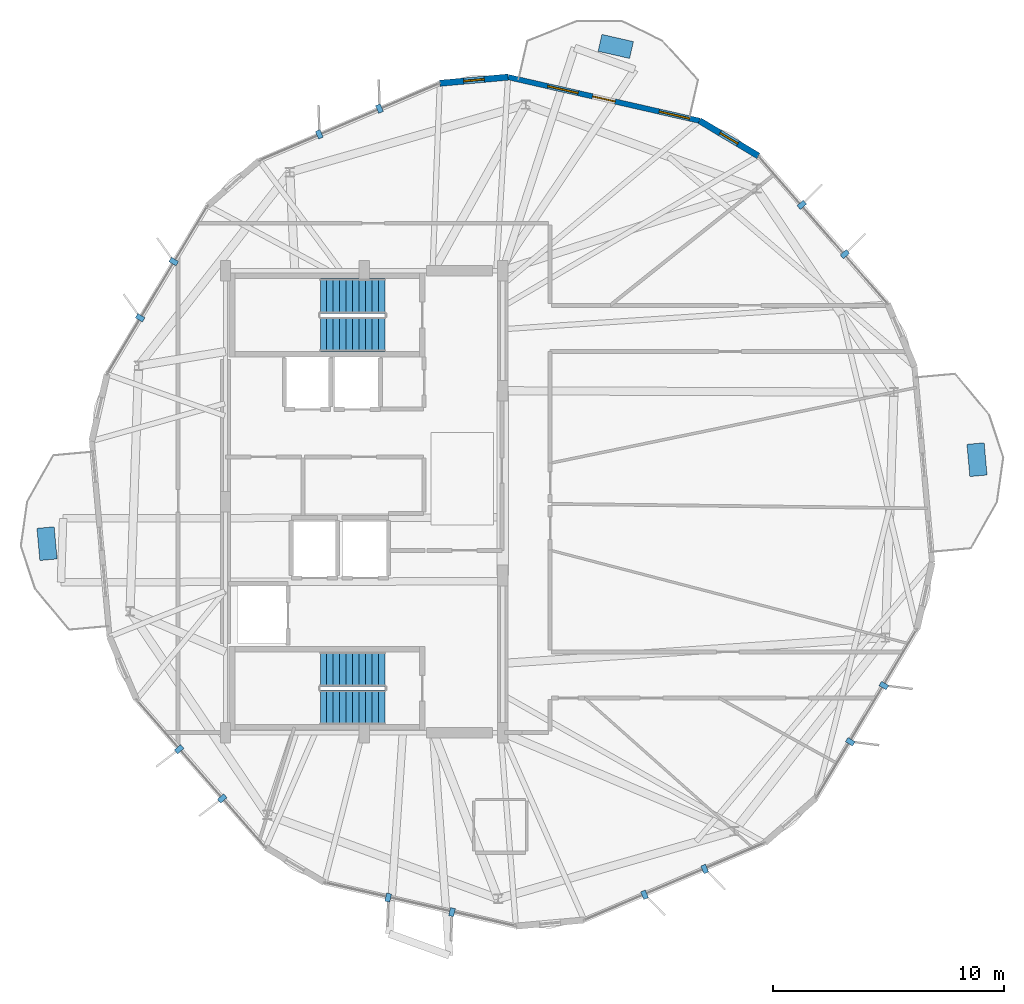
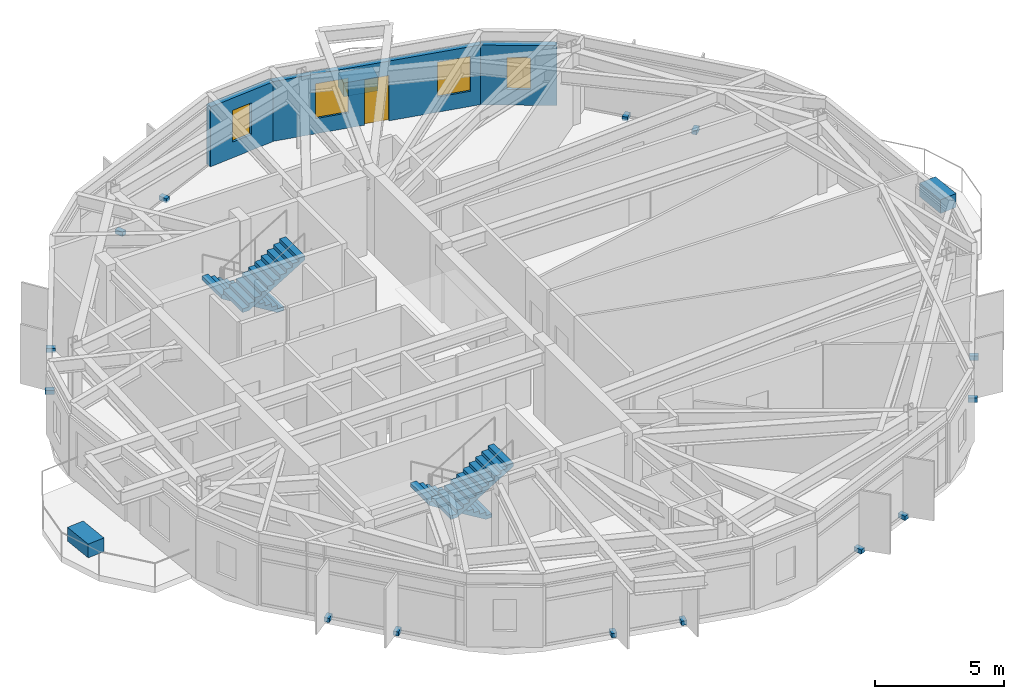
# One storey, part 20 of 23: 17 discrete accessories, 4 stair flights, 4 windows, 3 walls, 1 door, 5 openings, 2 elements without a shape of their own.
"""IFC4 building model written with IfcOpenShell, lengths in metres."""

import ifcopenshell
import ifcopenshell.guid

model = None  # the IFC model being written
_history = None  # IfcOwnerHistory: only IFC2X3 demands one
_inside = {}  # id of a spatial element -> (the spatial element, [elements in it])
_under = {}  # id of a project, library or spatial element -> (it, [spatial elements below it])
_declared = {}  # id of a project -> (the project, [libraries it declares])
_typed = {}  # id of a type object -> (the type object, [elements of that type])
_made_of = {}  # id of a material, layer set ... -> (it, [elements and type objects made of it])


def new_model(schema):
    """Start an empty IFC model of exactly this schema.

    Asked for "IFC4X3", IfcOpenShell would pick the latest addendum, in which some entities
    have other attributes; the version numbers below select the first issue.
    IFC2X3 requires an IfcOwnerHistory on every rooted entity: one is made here for all.
    """
    global model, _history
    if schema == "IFC4X3":
        model = ifcopenshell.file(schema_version=(4, 3, 0, 0))
    else:
        model = ifcopenshell.file(schema=schema)
    _inside.clear()
    _under.clear()
    _declared.clear()
    _typed.clear()
    _made_of.clear()
    _history = None
    if model.schema == "IFC2X3":
        org = make("IfcOrganization", Name="unknown")
        user = make(
            "IfcPersonAndOrganization",
            ThePerson=make("IfcPerson", FamilyName="unknown"),
            TheOrganization=org,
        )
        app = make(
            "IfcApplication",
            ApplicationDeveloper=org,
            Version="unknown",
            ApplicationFullName="unknown",
            ApplicationIdentifier="unknown",
        )
        _history = make(
            "IfcOwnerHistory",
            OwningUser=user,
            OwningApplication=app,
            ChangeAction="ADDED",
            CreationDate=0,
        )
    return model


def make(cls, **values):
    """One entity of the class cls with the attributes given. An attribute that is None is left unset."""
    return model.create_entity(
        cls, **{name: value for name, value in values.items() if value is not None}
    )


def rooted(cls, **values):
    """An entity with a GlobalId (a new one), such as an element, a storey or a relation."""
    return make(cls, GlobalId=ifcopenshell.guid.new(), OwnerHistory=_history, **values)


def si_unit(unit_type, name, prefix=None):
    """IfcSIUnit, for example si_unit("LENGTHUNIT", "METRE", prefix="MILLI")."""
    return make("IfcSIUnit", UnitType=unit_type, Prefix=prefix, Name=name)


def assignment(units):
    """IfcUnitAssignment: the units of a project."""
    return None if units is None else make("IfcUnitAssignment", Units=units)


def point(xyz):
    """IfcCartesianPoint."""
    return None if xyz is None else make("IfcCartesianPoint", Coordinates=xyz)


def direction(xyz):
    """IfcDirection."""
    return None if xyz is None else make("IfcDirection", DirectionRatios=xyz)


def frame(location, z_axis=None, x_axis=None):
    """IfcAxis2Placement3D, a coordinate frame: its origin and axes. An axis left out is left unset."""
    return make(
        "IfcAxis2Placement3D",
        Location=point(location),
        Axis=direction(z_axis),
        RefDirection=direction(x_axis),
    )


def frame_2d(location, x_axis=None):
    """IfcAxis2Placement2D, a coordinate frame in the plane: its origin and x axis."""
    return make(
        "IfcAxis2Placement2D", Location=point(location), RefDirection=direction(x_axis)
    )


def origin():
    """The frame at (0, 0, 0) with its axes left unset."""
    return frame((0.0, 0.0, 0.0))


def origin_2d():
    """The frame at (0, 0) in the plane with its x axis left unset."""
    return frame_2d((0.0, 0.0))


def place(relative_to, where):
    """IfcLocalPlacement: puts the frame where relative to a parent placement (None: the world)."""
    return make(
        "IfcLocalPlacement", PlacementRelTo=relative_to, RelativePlacement=where
    )


def context(
    kind, dimensions, precision=None, world=None, true_north=None, identifier=None
):
    """IfcGeometricRepresentationContext, for example the 3D "Model" context."""
    return make(
        "IfcGeometricRepresentationContext",
        ContextIdentifier=identifier,
        ContextType=kind,
        CoordinateSpaceDimension=dimensions,
        Precision=precision,
        WorldCoordinateSystem=world,
        TrueNorth=true_north,
    )


def subcontext(parent, identifier, kind, view, scale=None):
    """IfcGeometricRepresentationSubContext, for example "Body" below "Model"."""
    return make(
        "IfcGeometricRepresentationSubContext",
        ContextIdentifier=identifier,
        ContextType=kind,
        ParentContext=parent,
        TargetScale=scale,
        TargetView=view,
    )


def project(units=None, contexts=None):
    """IfcProject with its units and contexts."""
    return rooted(
        "IfcProject",
        Name="project",
        RepresentationContexts=contexts,
        UnitsInContext=assignment(units),
    )


def spatial(cls, under=None, at=None, **own):
    """A site, building, storey or space (cls), placed at a placement, below another one or the project."""
    s = rooted(cls, ObjectPlacement=at, **own)
    if under is not None:
        _under.setdefault(under.id(), (under, []))[1].append(s)
    return s


def polyline(points):
    """IfcPolyline through the points."""
    return make("IfcPolyline", Points=[point(p) for p in points])


def profile(cls, at=None, kind="AREA", **sizes):
    """A parametric profile (cls). Its sizes go by their IFC names, for example OverallWidth=200.0."""
    return make(cls, ProfileType=kind, Position=at, **sizes)


def rectangle(**sizes):
    """IfcRectangleProfileDef."""
    return profile("IfcRectangleProfileDef", **sizes)


def outline(outer, holes=None, kind="AREA"):
    """IfcArbitraryClosedProfileDef: a profile drawn as a closed curve; with holes, ...WithVoids."""
    if holes is None:
        return make("IfcArbitraryClosedProfileDef", ProfileType=kind, OuterCurve=outer)
    return make(
        "IfcArbitraryProfileDefWithVoids",
        ProfileType=kind,
        OuterCurve=outer,
        InnerCurves=holes,
    )


def extrude(swept, where, along, depth):
    """IfcExtrudedAreaSolid: the profile swept, set in the frame where, extruded along a direction by depth."""
    return make(
        "IfcExtrudedAreaSolid",
        SweptArea=swept,
        Position=where,
        ExtrudedDirection=direction(along),
        Depth=depth,
    )


def shape(context_of_items, identifier, shape_type, items):
    """IfcShapeRepresentation: the items that make up one representation, for example the "Body"."""
    return make(
        "IfcShapeRepresentation",
        ContextOfItems=context_of_items,
        RepresentationIdentifier=identifier,
        RepresentationType=shape_type,
        Items=items,
    )


def material(Name=None, Category=None):
    """IfcMaterial."""
    return make("IfcMaterial", Name=Name, Category=Category)


def layer(
    of_material, thickness, ventilated=None, Name=None, Category=None, Priority=None
):
    """IfcMaterialLayer: one layer of a wall or slab, of a material (None: an air gap)."""
    return make(
        "IfcMaterialLayer",
        Material=of_material,
        LayerThickness=thickness,
        IsVentilated=ventilated,
        Name=Name,
        Category=Category,
        Priority=Priority,
    )


def layer_set(layers, Name=None):
    """IfcMaterialLayerSet."""
    return make("IfcMaterialLayerSet", MaterialLayers=layers, LayerSetName=Name)


def made_of(thing, what):
    """Note that an element or type object is made of a material, layer set ...; save() writes the relation."""
    if what is not None:
        _made_of.setdefault(what.id(), (what, []))[1].append(thing)
    return thing


def type_object(cls, material=None, **own):
    """A type object (cls), such as IfcWallType, which elements share."""
    return made_of(rooted(cls, **own), material)


def element(
    cls,
    number,
    at=None,
    inside=None,
    cuts=None,
    type_object=None,
    material=None,
    context=None,
    identifier="Body",
    shape_type=None,
    held_by="IfcProductDefinitionShape",
    body=None,
    shapes=None,
    **own,
):
    """One element of the class cls, such as IfcWall. Its Tag is "e" and its number.

    at: its placement. inside: the storey or other place that contains it. cuts: it is an
    opening in that element (IfcRelVoidsElement). A single representation is given by context,
    identifier, shape_type and body (its items); several are given by shapes. held_by: the class
    of the entity that holds the representations. save() writes the other relations.
    """
    e = rooted(cls, Tag="e%d" % number, ObjectPlacement=at, **own)
    if body is not None:
        shapes = [shape(context, identifier, shape_type, body)]
    if shapes is not None:
        e.Representation = make(held_by, Representations=shapes)
    if inside is not None:
        _inside.setdefault(inside.id(), (inside, []))[1].append(e)
    if cuts is not None:
        rooted(
            "IfcRelVoidsElement", RelatingBuildingElement=cuts, RelatedOpeningElement=e
        )
    if type_object is not None:
        _typed.setdefault(type_object.id(), (type_object, []))[1].append(e)
    return made_of(e, material)


def fill(opening, filler):
    """IfcRelFillsElement: the door or window that sits in an opening."""
    return rooted(
        "IfcRelFillsElement",
        RelatingOpeningElement=opening,
        RelatedBuildingElement=filler,
    )


def aggregate(whole, parts):
    """IfcRelAggregates: a whole, such as a stair, and the parts it consists of."""
    return rooted("IfcRelAggregates", RelatingObject=whole, RelatedObjects=parts)


def save(model, path):
    """Write the relations noted so far, then the file.

    IfcRelAggregates (storeys below a building ...), IfcRelContainedInSpatialStructure (elements
    in a storey), IfcRelDefinesByType, IfcRelAssociatesMaterial and IfcRelDeclares: one each for
    every whole, place, type object, material and project.
    """
    for whole, parts in _under.values():
        aggregate(whole, parts)
    for where, things in _inside.values():
        rooted(
            "IfcRelContainedInSpatialStructure",
            RelatedElements=things,
            RelatingStructure=where,
        )
    for kind, things in _typed.values():
        rooted("IfcRelDefinesByType", RelatedObjects=things, RelatingType=kind)
    for what, things in _made_of.values():
        rooted("IfcRelAssociatesMaterial", RelatedObjects=things, RelatingMaterial=what)
    for by, libraries in _declared.values():
        rooted("IfcRelDeclares", RelatingContext=by, RelatedDefinitions=libraries)
    model.write(path)


model = new_model("IFC4")

# Units and contexts
model_context = context("Model", 3, precision=1e-05, world=origin(), true_north=direction((0.0, 1.0)))
body_context = subcontext(model_context, "Body", "Model", "MODEL_VIEW")
ifc_project = project(units=[si_unit("LENGTHUNIT", "METRE"), si_unit("AREAUNIT", "SQUARE_METRE"), si_unit("VOLUMEUNIT", "CUBIC_METRE"), si_unit("PLANEANGLEUNIT", "RADIAN"), si_unit("MASSUNIT", "GRAM", prefix="KILO")], contexts=[model_context])

# Site, building, storey
site_placement = place(None, origin())
site = spatial("IfcSite", under=ifc_project, at=site_placement, CompositionType="ELEMENT")
building_placement = place(site_placement, origin())
building = spatial("IfcBuilding", under=site, at=building_placement, Name="Soratama Intermodal Tower", CompositionType="ELEMENT")
storey_placement = place(building_placement, frame((0.0, 0.0, 250.0)))
storey = spatial("IfcBuildingStorey", under=building, at=storey_placement, Name="L63", CompositionType="ELEMENT", Elevation=250.0)

# Wall, openings, door, windows
ifc_material_1 = material(Name="Concrete f'c 42 MPa", Category="concrete")
ifc_layer_1 = layer(ifc_material_1, 0.22998046875)
ifc_layer_set_1 = layer_set([ifc_layer_1], Name="Concrete f'c 42 MPa")
wall_type_1 = type_object("IfcWallType", Name="EW-BAL-230", PredefinedType="SOLIDWALL", material=ifc_layer_set_1)
wall_1_placement = place(storey_placement, frame((53.1171875, 41.48828125, 0.0), z_axis=(0.0, 0.0, 1.0), x_axis=(-0.974994695917, 0.222228132635, 0.0)))
wall_1 = element("IfcWall", 1, at=wall_1_placement, inside=storey, type_object=wall_type_1, Name="L63 Terrace Wall F01", PredefinedType="SOLIDWALL", context=body_context, shape_type="SweptSolid", body=[
    extrude(rectangle(XDim=8.5, YDim=0.22998046875, at=frame_2d((4.25, 0.0))), origin(), (0.0, 0.0, 1.0), 2.8291015625),
])
opening_1_placement = place(wall_1_placement, frame((3.75, 0.0, 0.0)))
opening_1 = element("IfcOpeningElement", 2, at=opening_1_placement, cuts=wall_1, Name="Opening ED-2", PredefinedType="OPENING", context=body_context, shape_type="SweptSolid", body=[
    extrude(rectangle(XDim=1.0, YDim=2.14990234375, at=frame_2d((0.5, 1.074951171875))), frame((0.0, 0.125, 0.0), z_axis=(0.0, -1.0, 0.0), x_axis=(1.0, 0.0, 0.0)), (0.0, 0.0, 1.0), 0.25),
])
opening_2_placement = place(wall_1_placement, frame((0.43994140625, 0.0, 0.719970703125)))
opening_2 = element("IfcOpeningElement", 3, at=opening_2_placement, cuts=wall_1, Name="Opening WN-4", PredefinedType="OPENING", context=body_context, shape_type="SweptSolid", body=[
    extrude(rectangle(XDim=1.35009765625, YDim=1.64990234375, at=frame_2d((0.675048828125, 0.824951171875))), frame((0.0, 0.125, 0.0), z_axis=(0.0, -1.0, 0.0), x_axis=(1.0, 0.0, 0.0)), (0.0, 0.0, 1.0), 0.25),
])
opening_3_placement = place(wall_1_placement, frame((5.389892578125, 0.0, 0.719970703125)))
opening_3 = element("IfcOpeningElement", 4, at=opening_3_placement, cuts=wall_1, Name="Opening WN-4", PredefinedType="OPENING", context=body_context, shape_type="SweptSolid", body=[
    extrude(rectangle(XDim=1.35009765625, YDim=1.64990234375, at=frame_2d((0.675048828125, 0.824951171875))), frame((0.0, 0.125, 0.0), z_axis=(0.0, -1.0, 0.0), x_axis=(1.0, 0.0, 0.0)), (0.0, 0.0, 1.0), 0.25),
])
ifc_material_2 = material(Name="Double-glazed aluminium door", Category="aluminium")
door_type = type_object("IfcDoorType", Name="DR-BAL-1000", OperationType="NOTDEFINED", PredefinedType="DOOR", material=ifc_material_2)
door_placement = place(opening_1_placement, origin())
door = element("IfcDoor", 5, at=door_placement, inside=storey, type_object=door_type, Name="L63 Balcony Door F01", OperationType="SINGLE_SWING_LEFT", OverallHeight=2.14990234375, OverallWidth=1.0, PredefinedType="DOOR", context=body_context, shape_type="SweptSolid", body=[
    extrude(rectangle(XDim=1.0, YDim=2.14990234375, at=frame_2d((0.5, 1.074951171875))), frame((0.0, 0.02490234375, 0.0), z_axis=(0.0, -1.0, 0.0), x_axis=(1.0, 0.0, 0.0)), (0.0, 0.0, 1.0), 0.050048828125),
])
fill(opening_1, door)
ifc_material_3 = material(Name="Double-glazed aluminium window", Category="aluminium")
window_type_1 = type_object("IfcWindowType", Name="WN-FAC-1350", PartitioningType="SINGLE_PANEL", PredefinedType="WINDOW", material=ifc_material_3)
window_1_placement = place(opening_2_placement, origin())
window_1 = element("IfcWindow", 6, at=window_1_placement, inside=storey, type_object=window_type_1, Name="L63 Window A F01", OverallHeight=1.64990234375, OverallWidth=1.35009765625, PartitioningType="SINGLE_PANEL", PredefinedType="WINDOW", context=body_context, shape_type="SweptSolid", body=[
    extrude(rectangle(XDim=1.35009765625, YDim=1.64990234375, at=frame_2d((0.675048828125, 0.824951171875))), frame((0.0, 0.030029296875, 0.0), z_axis=(0.0, -1.0, 0.0), x_axis=(1.0, 0.0, 0.0)), (0.0, 0.0, 1.0), 0.06005859375),
])
fill(opening_2, window_1)
window_2_placement = place(opening_3_placement, origin())
window_2 = element("IfcWindow", 7, at=window_2_placement, inside=storey, type_object=window_type_1, Name="L63 Window B F01", OverallHeight=1.64990234375, OverallWidth=1.35009765625, PartitioningType="SINGLE_PANEL", PredefinedType="WINDOW", context=body_context, shape_type="SweptSolid", body=[
    extrude(rectangle(XDim=1.35009765625, YDim=1.64990234375, at=frame_2d((0.675048828125, 0.824951171875))), frame((0.0, 0.030029296875, 0.0), z_axis=(0.0, -1.0, 0.0), x_axis=(1.0, 0.0, 0.0)), (0.0, 0.0, 1.0), 0.06005859375),
])
fill(opening_3, window_2)

# Wall, opening, window
ifc_material_4 = material(Name="Concrete f'c 42 MPa", Category="concrete")
ifc_layer_2 = layer(ifc_material_4, 0.27001953125)
ifc_layer_set_2 = layer_set([ifc_layer_2], Name="Concrete f'c 42 MPa")
wall_type_2 = type_object("IfcWallType", Name="EW-CRN-270", PredefinedType="SOLIDWALL", material=ifc_layer_set_2)
wall_2_placement = place(storey_placement, frame((44.829833984375, 43.377197265625, 0.0), z_axis=(0.0, 0.0, 1.0), x_axis=(-0.995946323989, -0.089949539921, 0.0)))
wall_2 = element("IfcWall", 8, at=wall_2_placement, inside=storey, type_object=wall_type_2, Name="L63 Corner Closure Wall 01", PredefinedType="SOLIDWALL", context=body_context, shape_type="SweptSolid", body=[
    extrude(rectangle(XDim=2.966552734375, YDim=0.27001953125, at=frame_2d((1.4833984375, 0.0))), origin(), (0.0, 0.0, 1.0), 2.8291015625),
])
opening_4_placement = place(wall_2_placement, frame((1.033203125, 0.0, 0.75)))
opening_4 = element("IfcOpeningElement", 9, at=opening_4_placement, cuts=wall_2, Name="Opening WN-6", PredefinedType="OPENING", context=body_context, shape_type="SweptSolid", body=[
    extrude(rectangle(XDim=0.89990234375, YDim=1.5, at=frame_2d((0.449951171875, 0.75))), frame((0.0, 0.14501953125, 0.0), z_axis=(0.0, -1.0, 0.0), x_axis=(1.0, 0.0, 0.0)), (0.0, 0.0, 1.0), 0.2900390625),
])
ifc_material_5 = material(Name="Double-glazed aluminium window", Category="aluminium")
window_type_2 = type_object("IfcWindowType", Name="WN-FAC-900", PartitioningType="SINGLE_PANEL", PredefinedType="WINDOW", material=ifc_material_5)
window_3_placement = place(opening_4_placement, origin())
window_3 = element("IfcWindow", 10, at=window_3_placement, inside=storey, type_object=window_type_2, Name="L63 Corner Window 01", OverallHeight=1.5, OverallWidth=0.89990234375, PartitioningType="SINGLE_PANEL", PredefinedType="WINDOW", context=body_context, shape_type="SweptSolid", body=[
    extrude(rectangle(XDim=0.89990234375, YDim=1.5, at=frame_2d((0.449951171875, 0.75))), frame((0.0, 0.030029296875, 0.0), z_axis=(0.0, -1.0, 0.0), x_axis=(1.0, 0.0, 0.0)), (0.0, 0.0, 1.0), 0.06005859375),
])
fill(opening_4, window_3)

wall_3_placement = place(storey_placement, frame((55.664306640625, 39.967529296875, 0.0), z_axis=(0.0, 0.0, 1.0), x_axis=(-0.858609177154, 0.512630745183, 0.0)))
wall_3 = element("IfcWall", 11, at=wall_3_placement, inside=storey, type_object=wall_type_2, Name="L63 Corner Closure Wall 10", PredefinedType="SOLIDWALL", context=body_context, shape_type="SweptSolid", body=[
    extrude(rectangle(XDim=2.966552734375, YDim=0.27001953125, at=frame_2d((1.4833984375, 0.0))), origin(), (0.0, 0.0, 1.0), 2.8291015625),
])
opening_5_placement = place(wall_3_placement, frame((1.033203125, 0.0, 0.75)))
opening_5 = element("IfcOpeningElement", 12, at=opening_5_placement, cuts=wall_3, Name="Opening WN-6", PredefinedType="OPENING", context=body_context, shape_type="SweptSolid", body=[
    extrude(rectangle(XDim=0.89990234375, YDim=1.5, at=frame_2d((0.449951171875, 0.75))), frame((0.0, 0.14501953125, 0.0), z_axis=(0.0, -1.0, 0.0), x_axis=(1.0, 0.0, 0.0)), (0.0, 0.0, 1.0), 0.2900390625),
])
window_4_placement = place(opening_5_placement, origin())
window_4 = element("IfcWindow", 13, at=window_4_placement, inside=storey, type_object=window_type_2, Name="L63 Corner Window 10", OverallHeight=1.5, OverallWidth=0.89990234375, PartitioningType="SINGLE_PANEL", PredefinedType="WINDOW", context=body_context, shape_type="SweptSolid", body=[
    extrude(rectangle(XDim=0.89990234375, YDim=1.5, at=frame_2d((0.449951171875, 0.75))), frame((0.0, 0.030029296875, 0.0), z_axis=(0.0, -1.0, 0.0), x_axis=(1.0, 0.0, 0.0)), (0.0, 0.0, 1.0), 0.06005859375),
])
fill(opening_5, window_4)

# Stair, stair flights
ifc_material_6 = material(Name="Concrete f'c 42 MPa", Category="concrete")
stair_type = type_object("IfcStairType", Name="ST-CORE-DOGLEG", PredefinedType="HALF_TURN_STAIR", material=ifc_material_6)
stair_1_placement = place(storey_placement, origin())
stair_1 = element("IfcStair", 14, at=stair_1_placement, inside=storey, type_object=stair_type, Name="L63 ST-1", PredefinedType="HALF_TURN_STAIR")
ifc_material_7 = material(Name="Precast concrete f'c 40 MPa", Category="concrete")
ifc_layer_3 = layer(ifc_material_7, 0.199951171875)
ifc_layer_set_3 = layer_set([ifc_layer_3], Name="Precast concrete f'c 40 MPa")
stair_flight_type = type_object("IfcStairFlightType", Name="SF-FLIGHT-RC", PredefinedType="STRAIGHT", material=ifc_layer_set_3)
stair_flight_1_placement = place(storey_placement, frame((39.5, 17.75, 0.0), z_axis=(0.0, 0.0, 1.0), x_axis=(-1.0, 0.0, 0.0)))
stair_flight_1 = element("IfcStairFlight", 15, at=stair_flight_1_placement, type_object=stair_flight_type, Name="ST-1 flight 1", NumberOfRisers=11, NumberOfTreads=10, PredefinedType="STRAIGHT", RiserHeight=0.170454545, TreadLength=0.28, context=body_context, shape_type="SweptSolid", body=[
    extrude(outline(polyline([(0.0, 0.0), (0.0, 0.17041015625), (0.280029296875, 0.17041015625), (0.280029296875, 0.3408203125), (0.56005859375, 0.3408203125), (0.56005859375, 0.511474609375), (0.840087890625, 0.511474609375), (0.840087890625, 0.681884765625), (1.1201171875, 0.681884765625), (1.1201171875, 0.852294921875), (1.39990234375, 0.852294921875), (1.39990234375, 1.022705078125), (1.679931640625, 1.022705078125), (1.679931640625, 1.193115234375), (1.9599609375, 1.193115234375), (1.9599609375, 1.363525390625), (2.239990234375, 1.363525390625), (2.239990234375, 1.5341796875), (2.52001953125, 1.5341796875), (2.52001953125, 1.70458984375), (2.800048828125, 1.70458984375), (2.800048828125, 1.875), (2.800048828125, 1.529052734375), (0.288330078125, 0.0), (0.0, 0.0)])), frame((0.0, 0.75, 0.0), z_axis=(0.0, -1.0, 0.0), x_axis=(1.0, 0.0, 0.0)), (0.0, 0.0, 1.0), 1.5),
])
stair_flight_2_placement = place(storey_placement, frame((36.699951171875, 16.10009765625, 1.875), z_axis=(0.0, 0.0, 1.0), x_axis=(1.0, 0.0, 0.0)))
stair_flight_2 = element("IfcStairFlight", 16, at=stair_flight_2_placement, type_object=stair_flight_type, Name="ST-1 flight 2", NumberOfRisers=11, NumberOfTreads=10, PredefinedType="STRAIGHT", RiserHeight=0.170454545, TreadLength=0.28, context=body_context, shape_type="SweptSolid", body=[
    extrude(outline(polyline([(0.0, 0.0), (0.0, 0.17041015625), (0.280029296875, 0.17041015625), (0.280029296875, 0.3408203125), (0.56005859375, 0.3408203125), (0.56005859375, 0.511474609375), (0.840087890625, 0.511474609375), (0.840087890625, 0.681884765625), (1.1201171875, 0.681884765625), (1.1201171875, 0.852294921875), (1.39990234375, 0.852294921875), (1.39990234375, 1.022705078125), (1.679931640625, 1.022705078125), (1.679931640625, 1.193115234375), (1.9599609375, 1.193115234375), (1.9599609375, 1.363525390625), (2.239990234375, 1.363525390625), (2.239990234375, 1.5341796875), (2.52001953125, 1.5341796875), (2.52001953125, 1.70458984375), (2.800048828125, 1.70458984375), (2.800048828125, 1.875), (2.800048828125, 1.529052734375), (0.288330078125, 0.0), (0.0, 0.0)])), frame((0.0, 0.75, 0.0), z_axis=(0.0, -1.0, 0.0), x_axis=(1.0, 0.0, 0.0)), (0.0, 0.0, 1.0), 1.5),
])
aggregate(stair_1, [stair_flight_1, stair_flight_2])

stair_2_placement = place(storey_placement, origin())
stair_2 = element("IfcStair", 17, at=stair_2_placement, inside=storey, type_object=stair_type, Name="L63 ST-2", PredefinedType="HALF_TURN_STAIR")
stair_flight_3_placement = place(storey_placement, frame((39.5, 33.89990234375, 0.0), z_axis=(0.0, 0.0, 1.0), x_axis=(-1.0, 0.0, 0.0)))
stair_flight_3 = element("IfcStairFlight", 18, at=stair_flight_3_placement, type_object=stair_flight_type, Name="ST-2 flight 1", NumberOfRisers=11, NumberOfTreads=10, PredefinedType="STRAIGHT", RiserHeight=0.170454545, TreadLength=0.28, context=body_context, shape_type="SweptSolid", body=[
    extrude(outline(polyline([(0.0, 0.0), (0.0, 0.17041015625), (0.280029296875, 0.17041015625), (0.280029296875, 0.3408203125), (0.56005859375, 0.3408203125), (0.56005859375, 0.511474609375), (0.840087890625, 0.511474609375), (0.840087890625, 0.681884765625), (1.1201171875, 0.681884765625), (1.1201171875, 0.852294921875), (1.39990234375, 0.852294921875), (1.39990234375, 1.022705078125), (1.679931640625, 1.022705078125), (1.679931640625, 1.193115234375), (1.9599609375, 1.193115234375), (1.9599609375, 1.363525390625), (2.239990234375, 1.363525390625), (2.239990234375, 1.5341796875), (2.52001953125, 1.5341796875), (2.52001953125, 1.70458984375), (2.800048828125, 1.70458984375), (2.800048828125, 1.875), (2.800048828125, 1.529052734375), (0.288330078125, 0.0), (0.0, 0.0)])), frame((0.0, 0.75, 0.0), z_axis=(0.0, -1.0, 0.0), x_axis=(1.0, 0.0, 0.0)), (0.0, 0.0, 1.0), 1.5),
])
stair_flight_4_placement = place(storey_placement, frame((36.699951171875, 32.25, 1.875), z_axis=(0.0, 0.0, 1.0), x_axis=(1.0, 0.0, 0.0)))
stair_flight_4 = element("IfcStairFlight", 19, at=stair_flight_4_placement, type_object=stair_flight_type, Name="ST-2 flight 2", NumberOfRisers=11, NumberOfTreads=10, PredefinedType="STRAIGHT", RiserHeight=0.170454545, TreadLength=0.28, context=body_context, shape_type="SweptSolid", body=[
    extrude(outline(polyline([(0.0, 0.0), (0.0, 0.17041015625), (0.280029296875, 0.17041015625), (0.280029296875, 0.3408203125), (0.56005859375, 0.3408203125), (0.56005859375, 0.511474609375), (0.840087890625, 0.511474609375), (0.840087890625, 0.681884765625), (1.1201171875, 0.681884765625), (1.1201171875, 0.852294921875), (1.39990234375, 0.852294921875), (1.39990234375, 1.022705078125), (1.679931640625, 1.022705078125), (1.679931640625, 1.193115234375), (1.9599609375, 1.193115234375), (1.9599609375, 1.363525390625), (2.239990234375, 1.363525390625), (2.239990234375, 1.5341796875), (2.52001953125, 1.5341796875), (2.52001953125, 1.70458984375), (2.800048828125, 1.70458984375), (2.800048828125, 1.875), (2.800048828125, 1.529052734375), (0.288330078125, 0.0), (0.0, 0.0)])), frame((0.0, 0.75, 0.0), z_axis=(0.0, -1.0, 0.0), x_axis=(1.0, 0.0, 0.0)), (0.0, 0.0, 1.0), 1.5),
])
aggregate(stair_2, [stair_flight_3, stair_flight_4])

# Discrete accessories
ifc_material_8 = material(Name="Structural steel ASTM A992 Grade 50", Category="steel")
discrete_accessory_type_1 = type_object("IfcDiscreteAccessoryType", Name="AC-FIN-BRACKET", PredefinedType="BRACKET", material=ifc_material_8)
for number, where, z_axis, x_axis, name in (
    (20, (39.262451171875, 42.014404296875, -0.080078125), (0.0, 0.0, 1.0), (-0.393300136124, 0.919410138581, 0.0), "L63 Fin Bracket F02-1"),
    (21, (36.657470703125, 40.900146484375, -0.080078125), (0.0, 0.0, 1.0), (-0.393300136124, 0.919410138581, 0.0), "L63 Fin Bracket F02-2"),
    (22, (30.357421875, 35.392578125, -0.080078125), (0.0, 0.0, 1.0), (-0.85860221428, 0.512642407174, 0.0), "L63 Fin Bracket F03-1"),
    (23, (28.90478515625, 32.9599609375, -0.080078125), (0.0, 0.0, 1.0), (-0.85860221428, 0.512642407174, 0.0), "L63 Fin Bracket F03-2"),
    (24, (30.59130859375, 14.285400390625, -0.080078125), (0.0, 0.0, 1.0), (-0.752874577493, -0.658164014943, 0.0), "L63 Fin Bracket F05-1"),
    (25, (32.4560546875, 12.15234375, -0.080078125), (0.0, 0.0, 1.0), (-0.752874577493, -0.658164014943, 0.0), "L63 Fin Bracket F05-2"),
    (26, (39.640869140625, 7.862548828125, -0.080078125), (0.0, 0.0, 1.0), (-0.222229226251, -0.974994446651, 0.0), "L63 Fin Bracket F06-1"),
    (27, (42.4033203125, 7.23291015625, -0.080078125), (0.0, 0.0, 1.0), (-0.222229226251, -0.974994446651, 0.0), "L63 Fin Bracket F06-2"),
    (28, (50.737548828125, 7.985595703125, -0.080078125), (0.0, 0.0, 1.0), (0.393300136124, -0.919410138581, 0.0), "L63 Fin Bracket F07-1"),
    (29, (53.342529296875, 9.099853515625, -0.080078125), (0.0, 0.0, 1.0), (0.393300136124, -0.919410138581, 0.0), "L63 Fin Bracket F07-2"),
    (30, (59.642578125, 14.607421875, -0.080078125), (0.0, 0.0, 1.0), (0.85860221428, -0.512642407174, 0.0), "L63 Fin Bracket F08-1"),
    (31, (61.09521484375, 17.0400390625, -0.080078125), (0.0, 0.0, 1.0), (0.85860221428, -0.512642407174, 0.0), "L63 Fin Bracket F08-2"),
    (32, (59.40869140625, 35.714599609375, -0.080078125), (0.0, 0.0, 1.0), (0.752874577493, 0.658164014943, 0.0), "L63 Fin Bracket F10-1"),
    (33, (57.5439453125, 37.84765625, -0.080078125), (0.0, 0.0, 1.0), (0.752874577493, 0.658164014943, 0.0), "L63 Fin Bracket F10-2"),
):
    element("IfcDiscreteAccessory", number, at=place(storey_placement, frame(where, z_axis=z_axis, x_axis=x_axis)), inside=storey, type_object=discrete_accessory_type_1, Name=name, PredefinedType="BRACKET", context=body_context, shape_type="SweptSolid", body=[
        extrude(rectangle(XDim=0.360107421875, YDim=0.219970703125, at=origin_2d()), origin(), (0.0, 0.0, 1.0), 0.199951171875),
    ])
ifc_material_9 = material(Name="Precast concrete f'c 40 MPa", Category="concrete")
discrete_accessory_type_2 = type_object("IfcDiscreteAccessoryType", Name="AC-PLANTER-TREE", PredefinedType="USERDEFINED", material=ifc_material_9)
for number, where, z_axis, x_axis, name in (
    (34, (65.1279296875, 26.817626953125, 0.0), (0.0, 0.0, 1.0), (0.995947429397, 0.089937299699, 0.0), "L63 Tree Planter 1"),
    (35, (49.4912109375, 44.70458984375, 0.0), (0.0, 0.0, 1.0), (0.222229226251, 0.974994446651, 0.0), "L63 Tree Planter 2"),
    (36, (24.8720703125, 23.182373046875, 0.0), (0.0, 0.0, 1.0), (-0.995947429397, -0.089937299699, 0.0), "L63 Tree Planter 3"),
):
    element("IfcDiscreteAccessory", number, at=place(storey_placement, frame(where, z_axis=z_axis, x_axis=x_axis)), inside=storey, type_object=discrete_accessory_type_2, Name=name, ObjectType="PLANTER", PredefinedType="USERDEFINED", context=body_context, shape_type="SweptSolid", body=[
        extrude(rectangle(XDim=0.75, YDim=1.39990234375, at=origin_2d()), origin(), (0.0, 0.0, 1.0), 0.64990234375),
    ])

save(model, "model.ifc")
